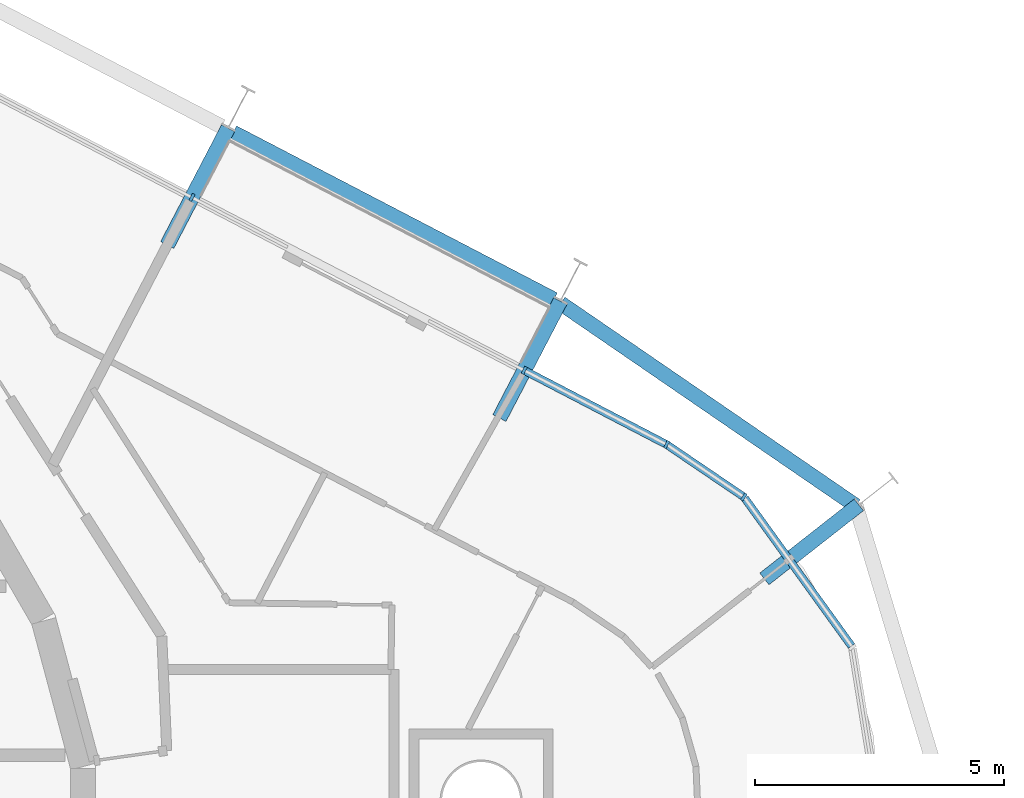
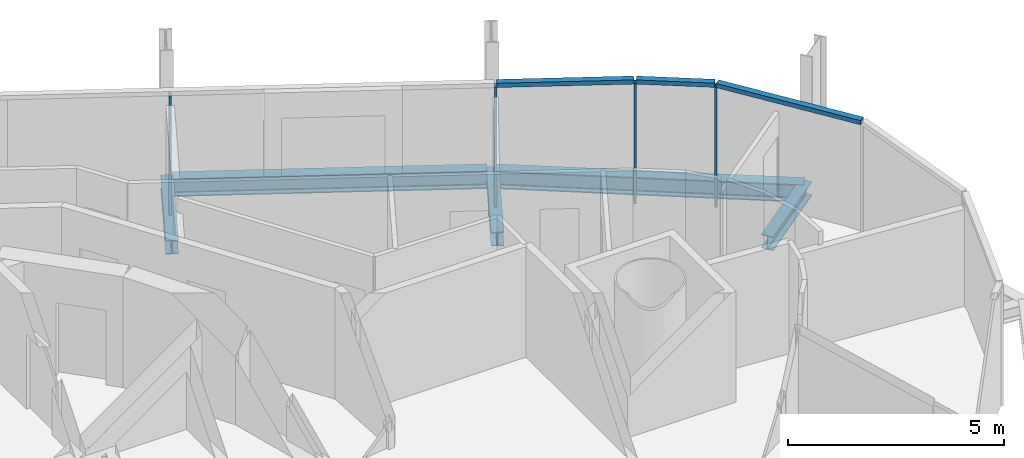
# One storey, part 9 of 17: 7 members, 5 beams, 2 elements without a shape of their own.
"""IFC4 building model written with IfcOpenShell, lengths in metres."""

from ifc_helpers import new_model, si_unit, direction, frame, origin, origin_2d, place, context, subcontext, project, spatial, rectangle, i_section, extrude, material, layer, layer_set, material_profile, profile_set, type_object, element, aggregate, save


model = new_model("IFC4")

# Units and contexts
model_context = context("Model", 3, precision=1e-05, world=origin(), true_north=direction((0.0, 1.0)))
body_context = subcontext(model_context, "Body", "Model", "MODEL_VIEW")
ifc_project = project(units=[si_unit("LENGTHUNIT", "METRE"), si_unit("AREAUNIT", "SQUARE_METRE"), si_unit("VOLUMEUNIT", "CUBIC_METRE"), si_unit("PLANEANGLEUNIT", "RADIAN"), si_unit("MASSUNIT", "GRAM", prefix="KILO")], contexts=[model_context])

# Site, building, storey
site_placement = place(None, origin())
site = spatial("IfcSite", under=ifc_project, at=site_placement, CompositionType="ELEMENT")
building_placement = place(site_placement, origin())
building = spatial("IfcBuilding", under=site, at=building_placement, Name="Spindle Arch Residences", CompositionType="ELEMENT")
storey_placement = place(building_placement, frame((0.0, 0.0, 237.199951171875)))
storey = spatial("IfcBuildingStorey", under=building, at=storey_placement, Name="L60", CompositionType="ELEMENT", Elevation=237.199951171875)

# Curtain wall, members
ifc_material_1 = material(Name="Aluminium bronze unitised frame with tinted glass", Category="aluminium")
ifc_layer_1 = layer(ifc_material_1, 0.159912109375)
ifc_layer_set_1 = layer_set([ifc_layer_1], Name="CW-D corner wall on the fillet arcs")
curtain_wall_type_1 = type_object("IfcCurtainWallType", Name="CW-D corner wall on the fillet arcs", PredefinedType="NOTDEFINED", material=ifc_layer_set_1)
curtain_wall_1_placement = place(storey_placement, origin())
curtain_wall_1 = element("IfcCurtainWall", 1, at=curtain_wall_1_placement, inside=storey, type_object=curtain_wall_type_1, Name="CW-D L60 run 1", PredefinedType="NOTDEFINED")
ifc_material_2 = material(Name="Aluminium bronze anodised mullion", Category="aluminium")
ifc_material_profile_1 = material_profile(ifc_material_2, rectangle(XDim=0.159912109375, YDim=0.06005859375, at=origin_2d()), Name="MU 60x160")
ifc_profile_set_1 = profile_set([ifc_material_profile_1], Name="Aluminium bronze anodised mullion")
member_type_1 = type_object("IfcMemberType", Name="Bronze mullion 60x160", PredefinedType="MULLION", material=ifc_profile_set_1)
member_1_placement = place(storey_placement, frame((24.93310546875, 6.971435546875, -0.3798828125), z_axis=(0.0, 0.0, 1.0), x_axis=(-0.561602105546, -0.827407441981, 0.0)))
member_1 = element("IfcMember", 2, at=member_1_placement, type_object=member_type_1, Name="CW-D mullion 05", PredefinedType="MULLION", context=body_context, shape_type="SweptSolid", body=[
    extrude(rectangle(XDim=0.159912109375, YDim=0.06005859375, at=origin_2d()), origin(), (0.0, 0.0, 1.0), 3.3798828125),
])
member_2_placement = place(storey_placement, frame((23.380859375, 8.02490234375, -0.3798828125), z_axis=(0.0, 0.0, 1.0), x_axis=(-0.461748613235, -0.887010833178, 0.0)))
member_2 = element("IfcMember", 3, at=member_2_placement, type_object=member_type_1, Name="CW-D mullion 06", PredefinedType="MULLION", context=body_context, shape_type="SweptSolid", body=[
    extrude(rectangle(XDim=0.159912109375, YDim=0.06005859375, at=origin_2d()), origin(), (0.0, 0.0, 1.0), 3.3798828125),
])

ifc_material_3 = material(Name="Aluminium bronze unitised frame with tinted glass", Category="aluminium")
ifc_layer_2 = layer(ifc_material_3, 0.159912109375)
ifc_layer_set_2 = layer_set([ifc_layer_2], Name="CW-C typical residential unitised wall")
curtain_wall_type_2 = type_object("IfcCurtainWallType", Name="CW-C typical residential unitised wall", PredefinedType="NOTDEFINED", material=ifc_layer_set_2)
curtain_wall_2_placement = place(storey_placement, origin())
curtain_wall_2 = element("IfcCurtainWall", 4, at=curtain_wall_2_placement, inside=storey, type_object=curtain_wall_type_2, Name="CW-C L60 run 2", PredefinedType="NOTDEFINED")
member_3_placement = place(storey_placement, frame((20.517333984375, 9.515625, -0.3798828125), z_axis=(0.0, 0.0, 1.0), x_axis=(-0.461748613235, -0.887010833178, 0.0)))
member_3 = element("IfcMember", 5, at=member_3_placement, type_object=member_type_1, Name="CW-C mullion 05", PredefinedType="MULLION", context=body_context, shape_type="SweptSolid", body=[
    extrude(rectangle(XDim=0.159912109375, YDim=0.06005859375, at=origin_2d()), origin(), (0.0, 0.0, 1.0), 3.3798828125),
])
member_4_placement = place(storey_placement, frame((13.837890625, 12.99267578125, -0.3798828125), z_axis=(0.0, 0.0, 1.0), x_axis=(-0.461748613235, -0.887010833178, 0.0)))
member_4 = element("IfcMember", 6, at=member_4_placement, type_object=member_type_1, Name="CW-C mullion 06", PredefinedType="MULLION", context=body_context, shape_type="SweptSolid", body=[
    extrude(rectangle(XDim=0.159912109375, YDim=0.06005859375, at=origin_2d()), origin(), (0.0, 0.0, 1.0), 3.3798828125),
])
aggregate(curtain_wall_2, [member_3, member_4])

# Member
ifc_material_4 = material(Name="Aluminium bronze anodised transom", Category="aluminium")
ifc_material_profile_2 = material_profile(ifc_material_4, rectangle(XDim=0.159912109375, YDim=0.1201171875, at=origin_2d()), Name="TR 120x160")
ifc_profile_set_2 = profile_set([ifc_material_profile_2], Name="Aluminium bronze anodised transom")
member_type_2 = type_object("IfcMemberType", Name="Bronze transom 120x160", PredefinedType="USERDEFINED", material=ifc_profile_set_2)
member_5_placement = place(storey_placement, frame((27.097412109375, 3.974365234375, 3.06005859375), z_axis=(-0.585456519469, 0.810703807695, 0.0), x_axis=(-0.810703807695, -0.585456519469, 0.0)))
member_5 = element("IfcMember", 7, at=member_5_placement, type_object=member_type_2, Name="CW-D transom 04", ObjectType="TRANSOM", PredefinedType="USERDEFINED", context=body_context, shape_type="SweptSolid", body=[
    extrude(rectangle(XDim=0.159912109375, YDim=0.1201171875, at=origin_2d()), origin(), (0.0, 0.0, 1.0), 3.666748046875),
])

member_6_placement = place(storey_placement, frame((24.908447265625, 6.98828125, 3.06005859375), z_axis=(-0.827451234698, 0.561537580396, 0.0), x_axis=(-0.561537580396, -0.827451234698, 0.0)))
member_6 = element("IfcMember", 8, at=member_6_placement, type_object=member_type_2, Name="CW-D transom 05", ObjectType="TRANSOM", PredefinedType="USERDEFINED", context=body_context, shape_type="SweptSolid", body=[
    extrude(rectangle(XDim=0.159912109375, YDim=0.1201171875, at=origin_2d()), origin(), (0.0, 0.0, 1.0), 1.816162109375),
])

member_7_placement = place(storey_placement, frame((23.354248046875, 8.038818359375, 3.06005859375), z_axis=(-0.886987077292, 0.461794245002, 0.0), x_axis=(-0.461794245002, -0.886987077292, 0.0)))
member_7 = element("IfcMember", 9, at=member_7_placement, type_object=member_type_2, Name="CW-D transom 06", ObjectType="TRANSOM", PredefinedType="USERDEFINED", context=body_context, shape_type="SweptSolid", body=[
    extrude(rectangle(XDim=0.159912109375, YDim=0.1201171875, at=origin_2d()), origin(), (0.0, 0.0, 1.0), 3.16845703125),
])

aggregate(curtain_wall_1, [member_5, member_1, member_6, member_2, member_7])

# Beams
ifc_material_5 = material(Name="Steel S460ML, intumescent coating R 120", Category="steel")
ifc_material_profile_3 = material_profile(ifc_material_5, i_section(OverallWidth=0.300048828125, OverallDepth=0.5, WebThickness=0.014404296875, FlangeThickness=0.028076171875, FilletRadius=0.027099609375, at=origin_2d()), Name="HEB 500")
ifc_profile_set_3 = profile_set([ifc_material_profile_3], Name="Steel S460ML, intumescent coating R 120")
beam_type_1 = type_object("IfcBeamType", Name="Exoskeleton edge beam HEB 500", PredefinedType="BEAM", material=ifc_profile_set_3)
beam_1_placement = place(storey_placement, frame((27.1845703125, 6.7939453125, -0.6298828125), z_axis=(-0.82461761875, 0.565690536289, 0.0), x_axis=(-0.565690536289, -0.82461761875, 0.0)))
element("IfcBeam", 10, at=beam_1_placement, inside=storey, type_object=beam_type_1, Name="Exoskeleton edge beam 5", PredefinedType="BEAM", context=body_context, shape_type="SweptSolid", body=[
    extrude(i_section(OverallWidth=0.300048828125, OverallDepth=0.5, WebThickness=0.014404296875, FlangeThickness=0.028076171875, FilletRadius=0.027099609375, at=origin_2d()), origin(), (0.0, 0.0, 1.0), 7.196044921875),
])
beam_2_placement = place(storey_placement, frame((21.113037109375, 10.94189453125, -0.6298828125), z_axis=(-0.887028136443, 0.461715372452, 0.0), x_axis=(-0.461715372452, -0.887028136443, 0.0)))
element("IfcBeam", 11, at=beam_2_placement, inside=storey, type_object=beam_type_1, Name="Exoskeleton edge beam 6", PredefinedType="BEAM", context=body_context, shape_type="SweptSolid", body=[
    extrude(i_section(OverallWidth=0.300048828125, OverallDepth=0.5, WebThickness=0.014404296875, FlangeThickness=0.028076171875, FilletRadius=0.027099609375, at=origin_2d()), origin(), (0.0, 0.0, 1.0), 7.27001953125),
])
ifc_material_6 = material(Name="Steel S460ML, intumescent coating R 120", Category="steel")
ifc_material_profile_4 = material_profile(ifc_material_6, i_section(OverallWidth=0.300048828125, OverallDepth=0.389892578125, WebThickness=0.010986328125, FlangeThickness=0.01904296875, FilletRadius=0.027099609375, at=origin_2d()), Name="HEA 400")
ifc_profile_set_4 = profile_set([ifc_material_profile_4], Name="Steel S460ML, intumescent coating R 120")
beam_type_2 = type_object("IfcBeamType", Name="Floor outrigger HEA 400", PredefinedType="BEAM", material=ifc_profile_set_4)
beam_3_placement = place(storey_placement, frame((27.244140625, 6.81201171875, -0.574951171875), z_axis=(-0.786970935565, -0.616990070079, 0.0), x_axis=(0.616990070079, -0.786970935565, 0.0)))
element("IfcBeam", 12, at=beam_3_placement, inside=storey, type_object=beam_type_2, Name="Floor outrigger 5", PredefinedType="BEAM", context=body_context, shape_type="SweptSolid", body=[
    extrude(i_section(OverallWidth=0.300048828125, OverallDepth=0.389892578125, WebThickness=0.010986328125, FlangeThickness=0.01904296875, FilletRadius=0.027099609375, at=origin_2d()), origin(), (0.0, 0.0, 1.0), 2.412841796875),
])
for number, where, z_axis, x_axis, name in (
    (13, (21.2421875, 10.908203125, -0.574951171875), (-0.461784931359, -0.886991926215, 0.0), (0.886991926215, -0.461784931359, 0.0), "Floor outrigger 6"),
    (14, (14.56298828125, 14.38525390625, -0.574951171875), (-0.461784931359, -0.886991926215, 0.0), (0.886991926215, -0.461784931359, 0.0), "Floor outrigger 7"),
):
    element("IfcBeam", number, at=place(storey_placement, frame(where, z_axis=z_axis, x_axis=x_axis)), inside=storey, type_object=beam_type_2, Name=name, PredefinedType="BEAM", context=body_context, shape_type="SweptSolid", body=[
        extrude(i_section(OverallWidth=0.300048828125, OverallDepth=0.389892578125, WebThickness=0.010986328125, FlangeThickness=0.01904296875, FilletRadius=0.027099609375, at=origin_2d()), origin(), (0.0, 0.0, 1.0), 2.64990234375),
    ])

save(model, "model.ifc")
